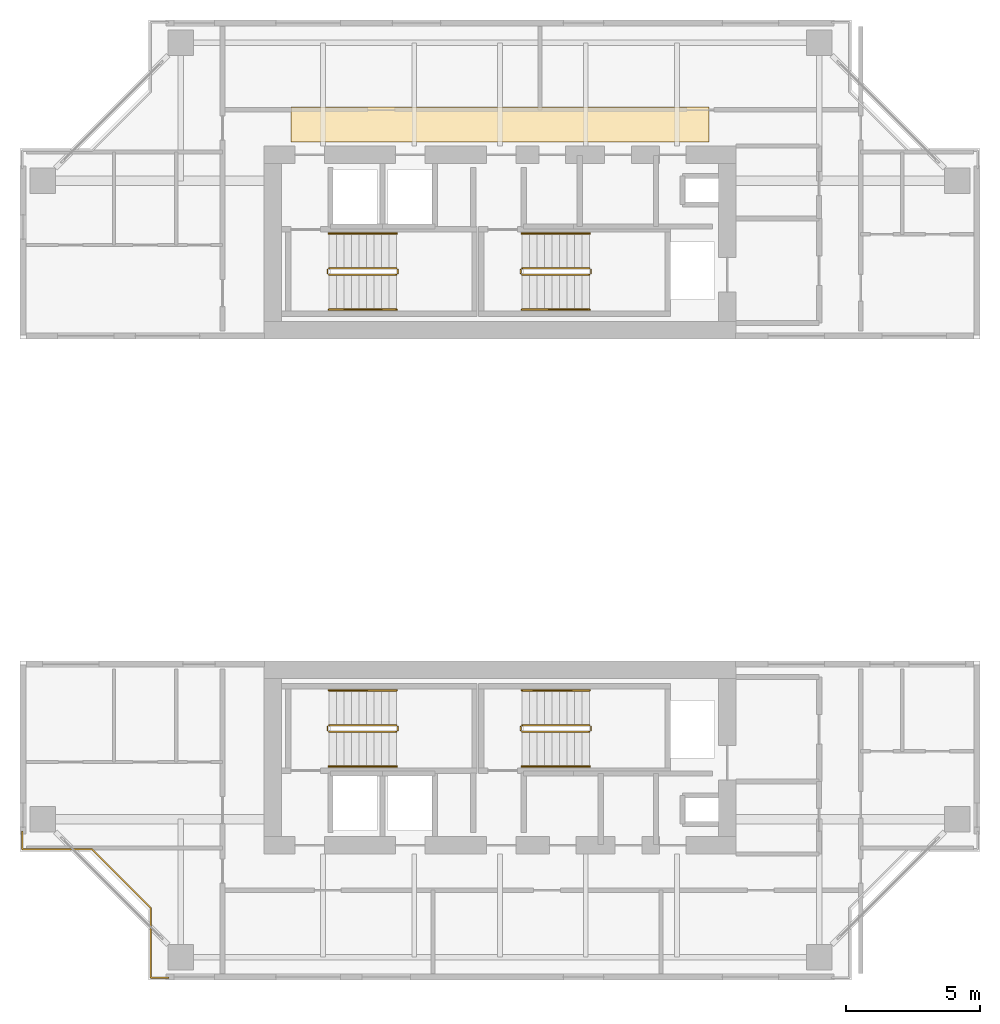
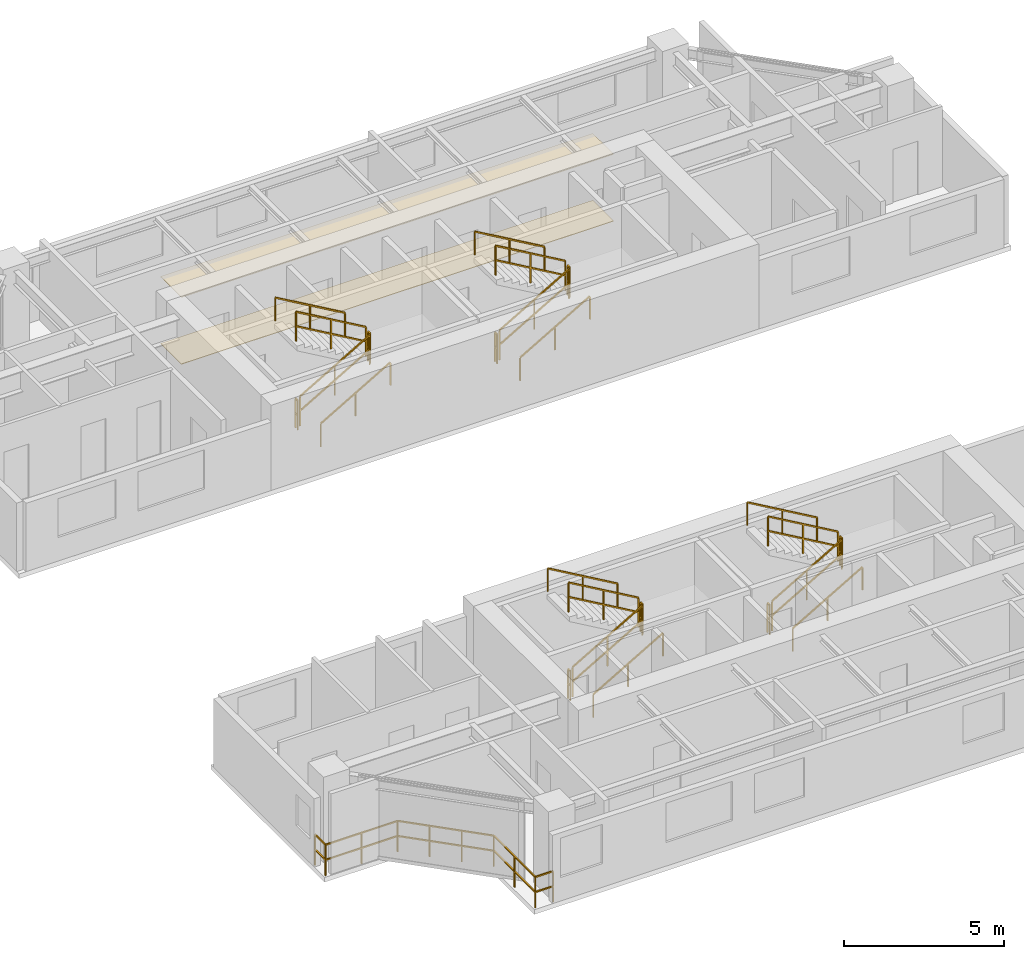
# One storey, part 11 of 12: 25 railings, 2 coverings.
"""IFC4 building model written with IfcOpenShell, lengths in metres."""

from ifc_helpers import new_model, si_unit, direction, frame, origin, origin_2d, place, context, subcontext, project, spatial, polyline, rectangle, outline, extrude, material, layer, layer_set, type_object, element, save


model = new_model("IFC4")

# Units and contexts
model_context = context("Model", 3, precision=1e-05, world=origin(), true_north=direction((0.0, 1.0)))
body_context = subcontext(model_context, "Body", "Model", "MODEL_VIEW")
ifc_project = project(units=[si_unit("LENGTHUNIT", "METRE"), si_unit("AREAUNIT", "SQUARE_METRE"), si_unit("VOLUMEUNIT", "CUBIC_METRE"), si_unit("PLANEANGLEUNIT", "RADIAN"), si_unit("MASSUNIT", "GRAM", prefix="KILO"), si_unit("THERMODYNAMICTEMPERATUREUNIT", "KELVIN"), si_unit("POWERUNIT", "WATT")], contexts=[model_context])

# Site, building, storey
site_placement = place(None, origin())
site = spatial("IfcSite", under=ifc_project, at=site_placement, CompositionType="ELEMENT")
building_placement = place(site_placement, origin())
building = spatial("IfcBuilding", under=site, at=building_placement, Name="Qiaomeng Ring Towers", CompositionType="ELEMENT")
storey_placement = place(building_placement, frame((0.0, 0.0, 160.0)))
storey = spatial("IfcBuildingStorey", under=building, at=storey_placement, Name="L46", CompositionType="ELEMENT", Elevation=160.0)

# Coverings
ifc_material_1 = material(Name="Mineral fibre acoustic ceiling tile", Category="gypsum")
ifc_layer_1 = layer(ifc_material_1, 0.02490234375, Name="Mineral fibre acoustic ceiling tile")
ifc_layer_set_1 = layer_set([ifc_layer_1], Name="Mineral fibre acoustic ceiling tile")
covering_type_1 = type_object("IfcCoveringType", Name="ARC-COV-CEIL1", PredefinedType="CEILING", material=ifc_layer_set_1)
covering_1_placement = place(storey_placement, frame((0.0, 0.0, 2.550048828125)))
element("IfcCovering", 1, at=covering_1_placement, inside=storey, type_object=covering_type_1, Name="L46 Corridor Acoustic Ceiling", PredefinedType="CEILING", context=body_context, shape_type="SweptSolid", body=[
    extrude(outline(polyline([(11.199951171875, 36.35009765625), (11.199951171875, 37.64990234375), (26.800048828125, 37.64990234375), (26.800048828125, 36.35009765625), (11.199951171875, 36.35009765625)])), origin(), (0.0, 0.0, 1.0), 0.02490234375),
])
ifc_material_2 = material(Name="Vitrified porcelain floor tile", Category="ceramic")
ifc_layer_2 = layer(ifc_material_2, 0.02001953125, Name="Vitrified porcelain floor tile")
ifc_layer_set_2 = layer_set([ifc_layer_2], Name="Vitrified porcelain floor tile")
covering_type_2 = type_object("IfcCoveringType", Name="ARC-COV-FLR1", PredefinedType="FLOORING", material=ifc_layer_set_2)
covering_2_placement = place(storey_placement, origin())
element("IfcCovering", 2, at=covering_2_placement, inside=storey, type_object=covering_type_2, Name="L46 Corridor Stone Flooring", PredefinedType="FLOORING", context=body_context, shape_type="SweptSolid", body=[
    extrude(outline(polyline([(11.199951171875, 36.35009765625), (11.199951171875, 37.64990234375), (26.800048828125, 37.64990234375), (26.800048828125, 36.35009765625), (11.199951171875, 36.35009765625)])), origin(), (0.0, 0.0, 1.0), 0.02001953125),
])

# Railings
ifc_material_3 = material(Name="Low-E pale-green laminated safety glass", Category="glass")
railing_type_1 = type_object("IfcRailingType", Name="ARC-RL-BAL1", PredefinedType="BALUSTRADE", material=ifc_material_3)
railing_1_placement = place(storey_placement, frame((1.179931640625, 10.6298828125, 0.0)))
element("IfcRailing", 3, at=railing_1_placement, inside=storey, type_object=railing_type_1, Name="L46 Balustrade ARC-BAL-NOTCH1-L46-SW", PredefinedType="BALUSTRADE", context=body_context, shape_type="SweptSolid", body=[
    extrude(rectangle(XDim=0.048095703125, YDim=0.048095703125, at=origin_2d()), frame((0.0, 0.0, 1.17578125), z_axis=(0.0, -1.0, 0.0), x_axis=(1.0, 0.0, 0.0)), (0.0, 0.0, 1.0), 0.64990234375),
    extrude(rectangle(XDim=0.048095703125, YDim=0.048095703125, at=origin_2d()), frame((0.0, 0.0, 0.60009765625), z_axis=(0.0, -1.0, 0.0), x_axis=(1.0, 0.0, 0.0)), (0.0, 0.0, 1.0), 0.64990234375),
    extrude(rectangle(XDim=0.048095703125, YDim=0.048095703125, at=origin_2d()), frame((0.0, -0.64990234375, 1.17578125), z_axis=(1.0, 0.0, 0.0), x_axis=(0.0, 1.0, 0.0)), (0.0, 0.0, 1.0), 2.60009765625),
    extrude(rectangle(XDim=0.048095703125, YDim=0.048095703125, at=origin_2d()), frame((0.0, -0.64990234375, 0.60009765625), z_axis=(1.0, 0.0, 0.0), x_axis=(0.0, 1.0, 0.0)), (0.0, 0.0, 1.0), 2.60009765625),
    extrude(rectangle(XDim=0.048095703125, YDim=0.048095703125, at=origin_2d()), frame((2.60009765625, -0.64990234375, 1.17578125), z_axis=(0.707106781187, -0.707106781187, 0.0), x_axis=(0.707106781187, 0.707106781187, 0.0)), (0.0, 0.0, 1.0), 3.111083984375),
    extrude(rectangle(XDim=0.048095703125, YDim=0.048095703125, at=origin_2d()), frame((2.60009765625, -0.64990234375, 0.60009765625), z_axis=(0.707106781187, -0.707106781187, 0.0), x_axis=(0.707106781187, 0.707106781187, 0.0)), (0.0, 0.0, 1.0), 3.111083984375),
    extrude(rectangle(XDim=0.048095703125, YDim=0.048095703125, at=origin_2d()), frame((4.800048828125, -2.849853515625, 1.17578125), z_axis=(0.0, -1.0, 0.0), x_axis=(1.0, 0.0, 0.0)), (0.0, 0.0, 1.0), 2.60009765625),
    extrude(rectangle(XDim=0.048095703125, YDim=0.048095703125, at=origin_2d()), frame((4.800048828125, -2.849853515625, 0.60009765625), z_axis=(0.0, -1.0, 0.0), x_axis=(1.0, 0.0, 0.0)), (0.0, 0.0, 1.0), 2.60009765625),
    extrude(rectangle(XDim=0.048095703125, YDim=0.048095703125, at=origin_2d()), frame((4.800048828125, -5.449951171875, 1.17578125), z_axis=(1.0, 0.0, 0.0), x_axis=(0.0, 1.0, 0.0)), (0.0, 0.0, 1.0), 0.64990234375),
    extrude(rectangle(XDim=0.048095703125, YDim=0.048095703125, at=origin_2d()), frame((4.800048828125, -5.449951171875, 0.60009765625), z_axis=(1.0, 0.0, 0.0), x_axis=(0.0, 1.0, 0.0)), (0.0, 0.0, 1.0), 0.64990234375),
    extrude(rectangle(XDim=0.0419921875, YDim=0.0419921875, at=origin_2d()), origin(), (0.0, 0.0, 1.0), 1.15185546875),
    extrude(rectangle(XDim=0.0419921875, YDim=0.0419921875, at=origin_2d()), frame((0.0, -0.64990234375, 0.0)), (0.0, 0.0, 1.0), 1.15185546875),
    extrude(rectangle(XDim=0.0419921875, YDim=0.0419921875, at=origin_2d()), frame((1.300048828125, -0.64990234375, 0.0)), (0.0, 0.0, 1.0), 1.15185546875),
    extrude(rectangle(XDim=0.0419921875, YDim=0.0419921875, at=origin_2d()), frame((2.60009765625, -0.64990234375, 0.0)), (0.0, 0.0, 1.0), 1.15185546875),
    extrude(rectangle(XDim=0.0419921875, YDim=0.0419921875, at=origin_2d()), frame((3.33349609375, -1.38330078125, 0.0)), (0.0, 0.0, 1.0), 1.15185546875),
    extrude(rectangle(XDim=0.0419921875, YDim=0.0419921875, at=origin_2d()), frame((4.066650390625, -2.116455078125, 0.0)), (0.0, 0.0, 1.0), 1.15185546875),
    extrude(rectangle(XDim=0.0419921875, YDim=0.0419921875, at=origin_2d()), frame((4.800048828125, -2.849853515625, 0.0)), (0.0, 0.0, 1.0), 1.15185546875),
    extrude(rectangle(XDim=0.0419921875, YDim=0.0419921875, at=origin_2d()), frame((4.800048828125, -4.14990234375, 0.0)), (0.0, 0.0, 1.0), 1.15185546875),
    extrude(rectangle(XDim=0.0419921875, YDim=0.0419921875, at=origin_2d()), frame((4.800048828125, -5.449951171875, 0.0)), (0.0, 0.0, 1.0), 1.15185546875),
    extrude(rectangle(XDim=0.0419921875, YDim=0.0419921875, at=origin_2d()), frame((5.449951171875, -5.449951171875, 0.0)), (0.0, 0.0, 1.0), 1.15185546875),
])
ifc_material_4 = material(Name="Galvanised steel", Category="steel")
railing_type_2 = type_object("IfcRailingType", Name="ARC-RL-GUARD", PredefinedType="GUARDRAIL", material=ifc_material_4)
railing_2_placement = place(storey_placement, frame((12.6201171875, 31.39990234375, 0.16259765625)))
element("IfcRailing", 4, at=railing_2_placement, inside=storey, type_object=railing_type_2, Name="L46 ST1 stair guard 1", PredefinedType="GUARDRAIL", context=body_context, shape_type="SweptSolid", body=[
    extrude(rectangle(XDim=0.048095703125, YDim=0.048095703125, at=origin_2d()), frame((0.0, 0.0, 1.1259765625), z_axis=(0.864892226395, 0.0, 0.501957604506), x_axis=(0.0, 1.0, 0.0)), (0.0, 0.0, 1.0), 2.913330078125),
    extrude(rectangle(XDim=0.048095703125, YDim=0.048095703125, at=origin_2d()), frame((0.0, 0.0, 0.574951171875), z_axis=(0.864892226395, 0.0, 0.501957604506), x_axis=(0.0, 1.0, 0.0)), (0.0, 0.0, 1.0), 2.913330078125),
    extrude(rectangle(XDim=0.0419921875, YDim=0.0419921875, at=origin_2d()), origin(), (0.0, 0.0, 1.0), 1.101806640625),
    extrude(rectangle(XDim=0.0419921875, YDim=0.0419921875, at=origin_2d()), frame((1.259765625, 0.0, 0.731201171875)), (0.0, 0.0, 1.0), 1.101806640625),
    extrude(rectangle(XDim=0.0419921875, YDim=0.0419921875, at=origin_2d()), frame((2.519775390625, 0.0, 1.46240234375)), (0.0, 0.0, 1.0), 1.101806640625),
])
railing_3_placement = place(storey_placement, frame((15.18994140625, 31.449951171875, 1.625)))
element("IfcRailing", 5, at=railing_3_placement, inside=storey, type_object=railing_type_2, Name="L46 ST1 stair guard 2", PredefinedType="GUARDRAIL", context=body_context, shape_type="SweptSolid", body=[
    extrude(rectangle(XDim=0.048095703125, YDim=0.048095703125, at=origin_2d()), frame((0.0, 0.0, 1.1259765625), z_axis=(0.0, 1.0, 0.0), x_axis=(-1.0, 0.0, 0.0)), (0.0, 0.0, 1.0), 0.14013671875),
    extrude(rectangle(XDim=0.048095703125, YDim=0.048095703125, at=origin_2d()), frame((0.0, 0.0, 0.574951171875), z_axis=(0.0, 1.0, 0.0), x_axis=(-1.0, 0.0, 0.0)), (0.0, 0.0, 1.0), 0.14013671875),
    extrude(rectangle(XDim=0.0419921875, YDim=0.0419921875, at=origin_2d()), origin(), (0.0, 0.0, 1.0), 1.101806640625),
    extrude(rectangle(XDim=0.0419921875, YDim=0.0419921875, at=origin_2d()), frame((0.0, 0.14013671875, 0.0)), (0.0, 0.0, 1.0), 1.101806640625),
])
railing_4_placement = place(storey_placement, frame((15.139892578125, 31.639892578125, 1.78759765625)))
element("IfcRailing", 6, at=railing_4_placement, inside=storey, type_object=railing_type_2, Name="L46 ST1 stair guard 3", PredefinedType="GUARDRAIL", context=body_context, shape_type="SweptSolid", body=[
    extrude(rectangle(XDim=0.048095703125, YDim=0.048095703125, at=origin_2d()), frame((0.0, 0.0, 1.1259765625), z_axis=(-0.864892226395, 0.0, 0.501957604506), x_axis=(0.0, -1.0, 0.0)), (0.0, 0.0, 1.0), 2.913330078125),
    extrude(rectangle(XDim=0.048095703125, YDim=0.048095703125, at=origin_2d()), frame((0.0, 0.0, 0.574951171875), z_axis=(-0.864892226395, 0.0, 0.501957604506), x_axis=(0.0, -1.0, 0.0)), (0.0, 0.0, 1.0), 2.913330078125),
    extrude(rectangle(XDim=0.0419921875, YDim=0.0419921875, at=origin_2d()), origin(), (0.0, 0.0, 1.0), 1.101806640625),
    extrude(rectangle(XDim=0.0419921875, YDim=0.0419921875, at=origin_2d()), frame((-1.259765625, 0.0, 0.731201171875)), (0.0, 0.0, 1.0), 1.101806640625),
    extrude(rectangle(XDim=0.0419921875, YDim=0.0419921875, at=origin_2d()), frame((-2.519775390625, 0.0, 1.46240234375)), (0.0, 0.0, 1.0), 1.101806640625),
])
railing_5_placement = place(storey_placement, frame((12.570068359375, 31.449951171875, 0.0)))
element("IfcRailing", 7, at=railing_5_placement, inside=storey, type_object=railing_type_2, Name="L46 ST1 stair guard 4", PredefinedType="GUARDRAIL", context=body_context, shape_type="SweptSolid", body=[
    extrude(rectangle(XDim=0.048095703125, YDim=0.048095703125, at=origin_2d()), frame((0.0, 0.0, 1.1259765625), z_axis=(0.0, 1.0, 0.0), x_axis=(-1.0, 0.0, 0.0)), (0.0, 0.0, 1.0), 0.14013671875),
    extrude(rectangle(XDim=0.048095703125, YDim=0.048095703125, at=origin_2d()), frame((0.0, 0.0, 0.574951171875), z_axis=(0.0, 1.0, 0.0), x_axis=(-1.0, 0.0, 0.0)), (0.0, 0.0, 1.0), 0.14013671875),
    extrude(rectangle(XDim=0.0419921875, YDim=0.0419921875, at=origin_2d()), origin(), (0.0, 0.0, 1.0), 1.101806640625),
    extrude(rectangle(XDim=0.0419921875, YDim=0.0419921875, at=origin_2d()), frame((0.0, 0.14013671875, 0.0)), (0.0, 0.0, 1.0), 1.101806640625),
])
railing_6_placement = place(storey_placement, frame((19.820068359375, 31.39990234375, 0.16259765625)))
element("IfcRailing", 8, at=railing_6_placement, inside=storey, type_object=railing_type_2, Name="L46 ST2 stair guard 1", PredefinedType="GUARDRAIL", context=body_context, shape_type="SweptSolid", body=[
    extrude(rectangle(XDim=0.048095703125, YDim=0.048095703125, at=origin_2d()), frame((0.0, 0.0, 1.1259765625), z_axis=(0.864913338283, 0.0, 0.50192122615), x_axis=(0.0, 1.0, 0.0)), (0.0, 0.0, 1.0), 2.91357421875),
    extrude(rectangle(XDim=0.048095703125, YDim=0.048095703125, at=origin_2d()), frame((0.0, 0.0, 0.574951171875), z_axis=(0.864913338283, 0.0, 0.50192122615), x_axis=(0.0, 1.0, 0.0)), (0.0, 0.0, 1.0), 2.91357421875),
    extrude(rectangle(XDim=0.0419921875, YDim=0.0419921875, at=origin_2d()), origin(), (0.0, 0.0, 1.0), 1.101806640625),
    extrude(rectangle(XDim=0.0419921875, YDim=0.0419921875, at=origin_2d()), frame((1.260009765625, 0.0, 0.731201171875)), (0.0, 0.0, 1.0), 1.101806640625),
    extrude(rectangle(XDim=0.0419921875, YDim=0.0419921875, at=origin_2d()), frame((2.52001953125, 0.0, 1.46240234375)), (0.0, 0.0, 1.0), 1.101806640625),
])
railing_7_placement = place(storey_placement, frame((22.389892578125, 31.449951171875, 1.625)))
element("IfcRailing", 9, at=railing_7_placement, inside=storey, type_object=railing_type_2, Name="L46 ST2 stair guard 2", PredefinedType="GUARDRAIL", context=body_context, shape_type="SweptSolid", body=[
    extrude(rectangle(XDim=0.048095703125, YDim=0.048095703125, at=origin_2d()), frame((0.0, 0.0, 1.1259765625), z_axis=(0.0, 1.0, 0.0), x_axis=(-1.0, 0.0, 0.0)), (0.0, 0.0, 1.0), 0.14013671875),
    extrude(rectangle(XDim=0.048095703125, YDim=0.048095703125, at=origin_2d()), frame((0.0, 0.0, 0.574951171875), z_axis=(0.0, 1.0, 0.0), x_axis=(-1.0, 0.0, 0.0)), (0.0, 0.0, 1.0), 0.14013671875),
    extrude(rectangle(XDim=0.0419921875, YDim=0.0419921875, at=origin_2d()), origin(), (0.0, 0.0, 1.0), 1.101806640625),
    extrude(rectangle(XDim=0.0419921875, YDim=0.0419921875, at=origin_2d()), frame((0.0, 0.14013671875, 0.0)), (0.0, 0.0, 1.0), 1.101806640625),
])
railing_8_placement = place(storey_placement, frame((22.340087890625, 31.639892578125, 1.78759765625)))
element("IfcRailing", 10, at=railing_8_placement, inside=storey, type_object=railing_type_2, Name="L46 ST2 stair guard 3", PredefinedType="GUARDRAIL", context=body_context, shape_type="SweptSolid", body=[
    extrude(rectangle(XDim=0.048095703125, YDim=0.048095703125, at=origin_2d()), frame((0.0, 0.0, 1.1259765625), z_axis=(-0.864913338283, 0.0, 0.50192122615), x_axis=(0.0, -1.0, 0.0)), (0.0, 0.0, 1.0), 2.91357421875),
    extrude(rectangle(XDim=0.048095703125, YDim=0.048095703125, at=origin_2d()), frame((0.0, 0.0, 0.574951171875), z_axis=(-0.864913338283, 0.0, 0.50192122615), x_axis=(0.0, -1.0, 0.0)), (0.0, 0.0, 1.0), 2.91357421875),
    extrude(rectangle(XDim=0.0419921875, YDim=0.0419921875, at=origin_2d()), origin(), (0.0, 0.0, 1.0), 1.101806640625),
    extrude(rectangle(XDim=0.0419921875, YDim=0.0419921875, at=origin_2d()), frame((-1.260009765625, 0.0, 0.731201171875)), (0.0, 0.0, 1.0), 1.101806640625),
    extrude(rectangle(XDim=0.0419921875, YDim=0.0419921875, at=origin_2d()), frame((-2.52001953125, 0.0, 1.46240234375)), (0.0, 0.0, 1.0), 1.101806640625),
])
railing_9_placement = place(storey_placement, frame((19.77001953125, 31.449951171875, 0.0)))
element("IfcRailing", 11, at=railing_9_placement, inside=storey, type_object=railing_type_2, Name="L46 ST2 stair guard 4", PredefinedType="GUARDRAIL", context=body_context, shape_type="SweptSolid", body=[
    extrude(rectangle(XDim=0.048095703125, YDim=0.048095703125, at=origin_2d()), frame((0.0, 0.0, 1.1259765625), z_axis=(0.0, 1.0, 0.0), x_axis=(-1.0, 0.0, 0.0)), (0.0, 0.0, 1.0), 0.14013671875),
    extrude(rectangle(XDim=0.048095703125, YDim=0.048095703125, at=origin_2d()), frame((0.0, 0.0, 0.574951171875), z_axis=(0.0, 1.0, 0.0), x_axis=(-1.0, 0.0, 0.0)), (0.0, 0.0, 1.0), 0.14013671875),
    extrude(rectangle(XDim=0.0419921875, YDim=0.0419921875, at=origin_2d()), origin(), (0.0, 0.0, 1.0), 1.101806640625),
    extrude(rectangle(XDim=0.0419921875, YDim=0.0419921875, at=origin_2d()), frame((0.0, 0.14013671875, 0.0)), (0.0, 0.0, 1.0), 1.101806640625),
])
railing_10_placement = place(storey_placement, frame((12.6201171875, 14.360107421875, 0.16259765625)))
element("IfcRailing", 12, at=railing_10_placement, inside=storey, type_object=railing_type_2, Name="L46 ST3 stair guard 1", PredefinedType="GUARDRAIL", context=body_context, shape_type="SweptSolid", body=[
    extrude(rectangle(XDim=0.048095703125, YDim=0.048095703125, at=origin_2d()), frame((0.0, 0.0, 1.1259765625), z_axis=(0.864892226395, 0.0, 0.501957604506), x_axis=(0.0, 1.0, 0.0)), (0.0, 0.0, 1.0), 2.913330078125),
    extrude(rectangle(XDim=0.048095703125, YDim=0.048095703125, at=origin_2d()), frame((0.0, 0.0, 0.574951171875), z_axis=(0.864892226395, 0.0, 0.501957604506), x_axis=(0.0, 1.0, 0.0)), (0.0, 0.0, 1.0), 2.913330078125),
    extrude(rectangle(XDim=0.0419921875, YDim=0.0419921875, at=origin_2d()), origin(), (0.0, 0.0, 1.0), 1.101806640625),
    extrude(rectangle(XDim=0.0419921875, YDim=0.0419921875, at=origin_2d()), frame((1.259765625, 0.0, 0.731201171875)), (0.0, 0.0, 1.0), 1.101806640625),
    extrude(rectangle(XDim=0.0419921875, YDim=0.0419921875, at=origin_2d()), frame((2.519775390625, 0.0, 1.46240234375)), (0.0, 0.0, 1.0), 1.101806640625),
])
railing_11_placement = place(storey_placement, frame((15.18994140625, 14.409912109375, 1.625)))
element("IfcRailing", 13, at=railing_11_placement, inside=storey, type_object=railing_type_2, Name="L46 ST3 stair guard 2", PredefinedType="GUARDRAIL", context=body_context, shape_type="SweptSolid", body=[
    extrude(rectangle(XDim=0.048095703125, YDim=0.048095703125, at=origin_2d()), frame((0.0, 0.0, 1.1259765625), z_axis=(0.0, 1.0, 0.0), x_axis=(-1.0, 0.0, 0.0)), (0.0, 0.0, 1.0), 0.14013671875),
    extrude(rectangle(XDim=0.048095703125, YDim=0.048095703125, at=origin_2d()), frame((0.0, 0.0, 0.574951171875), z_axis=(0.0, 1.0, 0.0), x_axis=(-1.0, 0.0, 0.0)), (0.0, 0.0, 1.0), 0.14013671875),
    extrude(rectangle(XDim=0.0419921875, YDim=0.0419921875, at=origin_2d()), origin(), (0.0, 0.0, 1.0), 1.101806640625),
    extrude(rectangle(XDim=0.0419921875, YDim=0.0419921875, at=origin_2d()), frame((0.0, 0.14013671875, 0.0)), (0.0, 0.0, 1.0), 1.101806640625),
])
railing_12_placement = place(storey_placement, frame((15.139892578125, 14.60009765625, 1.78759765625)))
element("IfcRailing", 14, at=railing_12_placement, inside=storey, type_object=railing_type_2, Name="L46 ST3 stair guard 3", PredefinedType="GUARDRAIL", context=body_context, shape_type="SweptSolid", body=[
    extrude(rectangle(XDim=0.048095703125, YDim=0.048095703125, at=origin_2d()), frame((0.0, 0.0, 1.1259765625), z_axis=(-0.864892226395, 0.0, 0.501957604506), x_axis=(0.0, -1.0, 0.0)), (0.0, 0.0, 1.0), 2.913330078125),
    extrude(rectangle(XDim=0.048095703125, YDim=0.048095703125, at=origin_2d()), frame((0.0, 0.0, 0.574951171875), z_axis=(-0.864892226395, 0.0, 0.501957604506), x_axis=(0.0, -1.0, 0.0)), (0.0, 0.0, 1.0), 2.913330078125),
    extrude(rectangle(XDim=0.0419921875, YDim=0.0419921875, at=origin_2d()), origin(), (0.0, 0.0, 1.0), 1.101806640625),
    extrude(rectangle(XDim=0.0419921875, YDim=0.0419921875, at=origin_2d()), frame((-1.259765625, 0.0, 0.731201171875)), (0.0, 0.0, 1.0), 1.101806640625),
    extrude(rectangle(XDim=0.0419921875, YDim=0.0419921875, at=origin_2d()), frame((-2.519775390625, 0.0, 1.46240234375)), (0.0, 0.0, 1.0), 1.101806640625),
])
railing_13_placement = place(storey_placement, frame((12.570068359375, 14.409912109375, 0.0)))
element("IfcRailing", 15, at=railing_13_placement, inside=storey, type_object=railing_type_2, Name="L46 ST3 stair guard 4", PredefinedType="GUARDRAIL", context=body_context, shape_type="SweptSolid", body=[
    extrude(rectangle(XDim=0.048095703125, YDim=0.048095703125, at=origin_2d()), frame((0.0, 0.0, 1.1259765625), z_axis=(0.0, 1.0, 0.0), x_axis=(-1.0, 0.0, 0.0)), (0.0, 0.0, 1.0), 0.14013671875),
    extrude(rectangle(XDim=0.048095703125, YDim=0.048095703125, at=origin_2d()), frame((0.0, 0.0, 0.574951171875), z_axis=(0.0, 1.0, 0.0), x_axis=(-1.0, 0.0, 0.0)), (0.0, 0.0, 1.0), 0.14013671875),
    extrude(rectangle(XDim=0.0419921875, YDim=0.0419921875, at=origin_2d()), origin(), (0.0, 0.0, 1.0), 1.101806640625),
    extrude(rectangle(XDim=0.0419921875, YDim=0.0419921875, at=origin_2d()), frame((0.0, 0.14013671875, 0.0)), (0.0, 0.0, 1.0), 1.101806640625),
])
railing_14_placement = place(storey_placement, frame((19.820068359375, 14.360107421875, 0.16259765625)))
element("IfcRailing", 16, at=railing_14_placement, inside=storey, type_object=railing_type_2, Name="L46 ST4 stair guard 1", PredefinedType="GUARDRAIL", context=body_context, shape_type="SweptSolid", body=[
    extrude(rectangle(XDim=0.048095703125, YDim=0.048095703125, at=origin_2d()), frame((0.0, 0.0, 1.1259765625), z_axis=(0.864913338283, 0.0, 0.50192122615), x_axis=(0.0, 1.0, 0.0)), (0.0, 0.0, 1.0), 2.91357421875),
    extrude(rectangle(XDim=0.048095703125, YDim=0.048095703125, at=origin_2d()), frame((0.0, 0.0, 0.574951171875), z_axis=(0.864913338283, 0.0, 0.50192122615), x_axis=(0.0, 1.0, 0.0)), (0.0, 0.0, 1.0), 2.91357421875),
    extrude(rectangle(XDim=0.0419921875, YDim=0.0419921875, at=origin_2d()), origin(), (0.0, 0.0, 1.0), 1.101806640625),
    extrude(rectangle(XDim=0.0419921875, YDim=0.0419921875, at=origin_2d()), frame((1.260009765625, 0.0, 0.731201171875)), (0.0, 0.0, 1.0), 1.101806640625),
    extrude(rectangle(XDim=0.0419921875, YDim=0.0419921875, at=origin_2d()), frame((2.52001953125, 0.0, 1.46240234375)), (0.0, 0.0, 1.0), 1.101806640625),
])
railing_15_placement = place(storey_placement, frame((22.389892578125, 14.409912109375, 1.625)))
element("IfcRailing", 17, at=railing_15_placement, inside=storey, type_object=railing_type_2, Name="L46 ST4 stair guard 2", PredefinedType="GUARDRAIL", context=body_context, shape_type="SweptSolid", body=[
    extrude(rectangle(XDim=0.048095703125, YDim=0.048095703125, at=origin_2d()), frame((0.0, 0.0, 1.1259765625), z_axis=(0.0, 1.0, 0.0), x_axis=(-1.0, 0.0, 0.0)), (0.0, 0.0, 1.0), 0.14013671875),
    extrude(rectangle(XDim=0.048095703125, YDim=0.048095703125, at=origin_2d()), frame((0.0, 0.0, 0.574951171875), z_axis=(0.0, 1.0, 0.0), x_axis=(-1.0, 0.0, 0.0)), (0.0, 0.0, 1.0), 0.14013671875),
    extrude(rectangle(XDim=0.0419921875, YDim=0.0419921875, at=origin_2d()), origin(), (0.0, 0.0, 1.0), 1.101806640625),
    extrude(rectangle(XDim=0.0419921875, YDim=0.0419921875, at=origin_2d()), frame((0.0, 0.14013671875, 0.0)), (0.0, 0.0, 1.0), 1.101806640625),
])
railing_16_placement = place(storey_placement, frame((22.340087890625, 14.60009765625, 1.78759765625)))
element("IfcRailing", 18, at=railing_16_placement, inside=storey, type_object=railing_type_2, Name="L46 ST4 stair guard 3", PredefinedType="GUARDRAIL", context=body_context, shape_type="SweptSolid", body=[
    extrude(rectangle(XDim=0.048095703125, YDim=0.048095703125, at=origin_2d()), frame((0.0, 0.0, 1.1259765625), z_axis=(-0.864913338283, 0.0, 0.50192122615), x_axis=(0.0, -1.0, 0.0)), (0.0, 0.0, 1.0), 2.91357421875),
    extrude(rectangle(XDim=0.048095703125, YDim=0.048095703125, at=origin_2d()), frame((0.0, 0.0, 0.574951171875), z_axis=(-0.864913338283, 0.0, 0.50192122615), x_axis=(0.0, -1.0, 0.0)), (0.0, 0.0, 1.0), 2.91357421875),
    extrude(rectangle(XDim=0.0419921875, YDim=0.0419921875, at=origin_2d()), origin(), (0.0, 0.0, 1.0), 1.101806640625),
    extrude(rectangle(XDim=0.0419921875, YDim=0.0419921875, at=origin_2d()), frame((-1.260009765625, 0.0, 0.731201171875)), (0.0, 0.0, 1.0), 1.101806640625),
    extrude(rectangle(XDim=0.0419921875, YDim=0.0419921875, at=origin_2d()), frame((-2.52001953125, 0.0, 1.46240234375)), (0.0, 0.0, 1.0), 1.101806640625),
])
railing_17_placement = place(storey_placement, frame((19.77001953125, 14.409912109375, 0.0)))
element("IfcRailing", 19, at=railing_17_placement, inside=storey, type_object=railing_type_2, Name="L46 ST4 stair guard 4", PredefinedType="GUARDRAIL", context=body_context, shape_type="SweptSolid", body=[
    extrude(rectangle(XDim=0.048095703125, YDim=0.048095703125, at=origin_2d()), frame((0.0, 0.0, 1.1259765625), z_axis=(0.0, 1.0, 0.0), x_axis=(-1.0, 0.0, 0.0)), (0.0, 0.0, 1.0), 0.14013671875),
    extrude(rectangle(XDim=0.048095703125, YDim=0.048095703125, at=origin_2d()), frame((0.0, 0.0, 0.574951171875), z_axis=(0.0, 1.0, 0.0), x_axis=(-1.0, 0.0, 0.0)), (0.0, 0.0, 1.0), 0.14013671875),
    extrude(rectangle(XDim=0.0419921875, YDim=0.0419921875, at=origin_2d()), origin(), (0.0, 0.0, 1.0), 1.101806640625),
    extrude(rectangle(XDim=0.0419921875, YDim=0.0419921875, at=origin_2d()), frame((0.0, 0.14013671875, 0.0)), (0.0, 0.0, 1.0), 1.101806640625),
])
ifc_material_5 = material(Name="Stainless steel 316", Category="steel")
railing_type_3 = type_object("IfcRailingType", Name="ARC-RL-HAND", PredefinedType="HANDRAIL", material=ifc_material_5)
railing_18_placement = place(storey_placement, frame((12.6201171875, 30.10009765625, 0.16259765625)))
element("IfcRailing", 20, at=railing_18_placement, inside=storey, type_object=railing_type_3, Name="L46 ST1 stair handrail 1", PredefinedType="HANDRAIL", context=body_context, shape_type="SweptSolid", body=[
    extrude(rectangle(XDim=0.048095703125, YDim=0.048095703125, at=origin_2d()), frame((0.0, 0.0, 0.8759765625), z_axis=(0.864892226395, 0.0, 0.501957604506), x_axis=(0.0, 1.0, 0.0)), (0.0, 0.0, 1.0), 2.913330078125),
    extrude(rectangle(XDim=0.0419921875, YDim=0.0419921875, at=origin_2d()), origin(), (0.0, 0.0, 1.0), 0.851806640625),
    extrude(rectangle(XDim=0.0419921875, YDim=0.0419921875, at=origin_2d()), frame((1.259765625, 0.0, 0.731201171875)), (0.0, 0.0, 1.0), 0.851806640625),
    extrude(rectangle(XDim=0.0419921875, YDim=0.0419921875, at=origin_2d()), frame((2.519775390625, 0.0, 1.46240234375)), (0.0, 0.0, 1.0), 0.851806640625),
])
railing_19_placement = place(storey_placement, frame((15.139892578125, 32.93994140625, 1.78759765625)))
element("IfcRailing", 21, at=railing_19_placement, inside=storey, type_object=railing_type_3, Name="L46 ST1 stair handrail 2", PredefinedType="HANDRAIL", context=body_context, shape_type="SweptSolid", body=[
    extrude(rectangle(XDim=0.048095703125, YDim=0.048095703125, at=origin_2d()), frame((0.0, 0.0, 0.8759765625), z_axis=(-0.864892226395, 0.0, 0.501957604506), x_axis=(0.0, -1.0, 0.0)), (0.0, 0.0, 1.0), 2.913330078125),
    extrude(rectangle(XDim=0.0419921875, YDim=0.0419921875, at=origin_2d()), origin(), (0.0, 0.0, 1.0), 0.851806640625),
    extrude(rectangle(XDim=0.0419921875, YDim=0.0419921875, at=origin_2d()), frame((-1.259765625, 0.0, 0.731201171875)), (0.0, 0.0, 1.0), 0.851806640625),
    extrude(rectangle(XDim=0.0419921875, YDim=0.0419921875, at=origin_2d()), frame((-2.519775390625, 0.0, 1.46240234375)), (0.0, 0.0, 1.0), 0.851806640625),
])
railing_20_placement = place(storey_placement, frame((19.820068359375, 30.10009765625, 0.16259765625)))
element("IfcRailing", 22, at=railing_20_placement, inside=storey, type_object=railing_type_3, Name="L46 ST2 stair handrail 1", PredefinedType="HANDRAIL", context=body_context, shape_type="SweptSolid", body=[
    extrude(rectangle(XDim=0.048095703125, YDim=0.048095703125, at=origin_2d()), frame((0.0, 0.0, 0.8759765625), z_axis=(0.864913338283, 0.0, 0.50192122615), x_axis=(0.0, 1.0, 0.0)), (0.0, 0.0, 1.0), 2.91357421875),
    extrude(rectangle(XDim=0.0419921875, YDim=0.0419921875, at=origin_2d()), origin(), (0.0, 0.0, 1.0), 0.851806640625),
    extrude(rectangle(XDim=0.0419921875, YDim=0.0419921875, at=origin_2d()), frame((1.260009765625, 0.0, 0.731201171875)), (0.0, 0.0, 1.0), 0.851806640625),
    extrude(rectangle(XDim=0.0419921875, YDim=0.0419921875, at=origin_2d()), frame((2.52001953125, 0.0, 1.46240234375)), (0.0, 0.0, 1.0), 0.851806640625),
])
railing_21_placement = place(storey_placement, frame((22.340087890625, 32.93994140625, 1.78759765625)))
element("IfcRailing", 23, at=railing_21_placement, inside=storey, type_object=railing_type_3, Name="L46 ST2 stair handrail 2", PredefinedType="HANDRAIL", context=body_context, shape_type="SweptSolid", body=[
    extrude(rectangle(XDim=0.048095703125, YDim=0.048095703125, at=origin_2d()), frame((0.0, 0.0, 0.8759765625), z_axis=(-0.864913338283, 0.0, 0.50192122615), x_axis=(0.0, -1.0, 0.0)), (0.0, 0.0, 1.0), 2.91357421875),
    extrude(rectangle(XDim=0.0419921875, YDim=0.0419921875, at=origin_2d()), origin(), (0.0, 0.0, 1.0), 0.851806640625),
    extrude(rectangle(XDim=0.0419921875, YDim=0.0419921875, at=origin_2d()), frame((-1.260009765625, 0.0, 0.731201171875)), (0.0, 0.0, 1.0), 0.851806640625),
    extrude(rectangle(XDim=0.0419921875, YDim=0.0419921875, at=origin_2d()), frame((-2.52001953125, 0.0, 1.46240234375)), (0.0, 0.0, 1.0), 0.851806640625),
])
railing_22_placement = place(storey_placement, frame((12.6201171875, 13.06005859375, 0.16259765625)))
element("IfcRailing", 24, at=railing_22_placement, inside=storey, type_object=railing_type_3, Name="L46 ST3 stair handrail 1", PredefinedType="HANDRAIL", context=body_context, shape_type="SweptSolid", body=[
    extrude(rectangle(XDim=0.048095703125, YDim=0.048095703125, at=origin_2d()), frame((0.0, 0.0, 0.8759765625), z_axis=(0.864892226395, 0.0, 0.501957604506), x_axis=(0.0, 1.0, 0.0)), (0.0, 0.0, 1.0), 2.913330078125),
    extrude(rectangle(XDim=0.0419921875, YDim=0.0419921875, at=origin_2d()), origin(), (0.0, 0.0, 1.0), 0.851806640625),
    extrude(rectangle(XDim=0.0419921875, YDim=0.0419921875, at=origin_2d()), frame((1.259765625, 0.0, 0.731201171875)), (0.0, 0.0, 1.0), 0.851806640625),
    extrude(rectangle(XDim=0.0419921875, YDim=0.0419921875, at=origin_2d()), frame((2.519775390625, 0.0, 1.46240234375)), (0.0, 0.0, 1.0), 0.851806640625),
])
railing_23_placement = place(storey_placement, frame((15.139892578125, 15.89990234375, 1.78759765625)))
element("IfcRailing", 25, at=railing_23_placement, inside=storey, type_object=railing_type_3, Name="L46 ST3 stair handrail 2", PredefinedType="HANDRAIL", context=body_context, shape_type="SweptSolid", body=[
    extrude(rectangle(XDim=0.048095703125, YDim=0.048095703125, at=origin_2d()), frame((0.0, 0.0, 0.8759765625), z_axis=(-0.864892226395, 0.0, 0.501957604506), x_axis=(0.0, -1.0, 0.0)), (0.0, 0.0, 1.0), 2.913330078125),
    extrude(rectangle(XDim=0.0419921875, YDim=0.0419921875, at=origin_2d()), origin(), (0.0, 0.0, 1.0), 0.851806640625),
    extrude(rectangle(XDim=0.0419921875, YDim=0.0419921875, at=origin_2d()), frame((-1.259765625, 0.0, 0.731201171875)), (0.0, 0.0, 1.0), 0.851806640625),
    extrude(rectangle(XDim=0.0419921875, YDim=0.0419921875, at=origin_2d()), frame((-2.519775390625, 0.0, 1.46240234375)), (0.0, 0.0, 1.0), 0.851806640625),
])
railing_24_placement = place(storey_placement, frame((19.820068359375, 13.06005859375, 0.16259765625)))
element("IfcRailing", 26, at=railing_24_placement, inside=storey, type_object=railing_type_3, Name="L46 ST4 stair handrail 1", PredefinedType="HANDRAIL", context=body_context, shape_type="SweptSolid", body=[
    extrude(rectangle(XDim=0.048095703125, YDim=0.048095703125, at=origin_2d()), frame((0.0, 0.0, 0.8759765625), z_axis=(0.864913338283, 0.0, 0.50192122615), x_axis=(0.0, 1.0, 0.0)), (0.0, 0.0, 1.0), 2.91357421875),
    extrude(rectangle(XDim=0.0419921875, YDim=0.0419921875, at=origin_2d()), origin(), (0.0, 0.0, 1.0), 0.851806640625),
    extrude(rectangle(XDim=0.0419921875, YDim=0.0419921875, at=origin_2d()), frame((1.260009765625, 0.0, 0.731201171875)), (0.0, 0.0, 1.0), 0.851806640625),
    extrude(rectangle(XDim=0.0419921875, YDim=0.0419921875, at=origin_2d()), frame((2.52001953125, 0.0, 1.46240234375)), (0.0, 0.0, 1.0), 0.851806640625),
])
railing_25_placement = place(storey_placement, frame((22.340087890625, 15.89990234375, 1.78759765625)))
element("IfcRailing", 27, at=railing_25_placement, inside=storey, type_object=railing_type_3, Name="L46 ST4 stair handrail 2", PredefinedType="HANDRAIL", context=body_context, shape_type="SweptSolid", body=[
    extrude(rectangle(XDim=0.048095703125, YDim=0.048095703125, at=origin_2d()), frame((0.0, 0.0, 0.8759765625), z_axis=(-0.864913338283, 0.0, 0.50192122615), x_axis=(0.0, -1.0, 0.0)), (0.0, 0.0, 1.0), 2.91357421875),
    extrude(rectangle(XDim=0.0419921875, YDim=0.0419921875, at=origin_2d()), origin(), (0.0, 0.0, 1.0), 0.851806640625),
    extrude(rectangle(XDim=0.0419921875, YDim=0.0419921875, at=origin_2d()), frame((-1.260009765625, 0.0, 0.731201171875)), (0.0, 0.0, 1.0), 0.851806640625),
    extrude(rectangle(XDim=0.0419921875, YDim=0.0419921875, at=origin_2d()), frame((-2.52001953125, 0.0, 1.46240234375)), (0.0, 0.0, 1.0), 0.851806640625),
])

save(model, "model.ifc")
